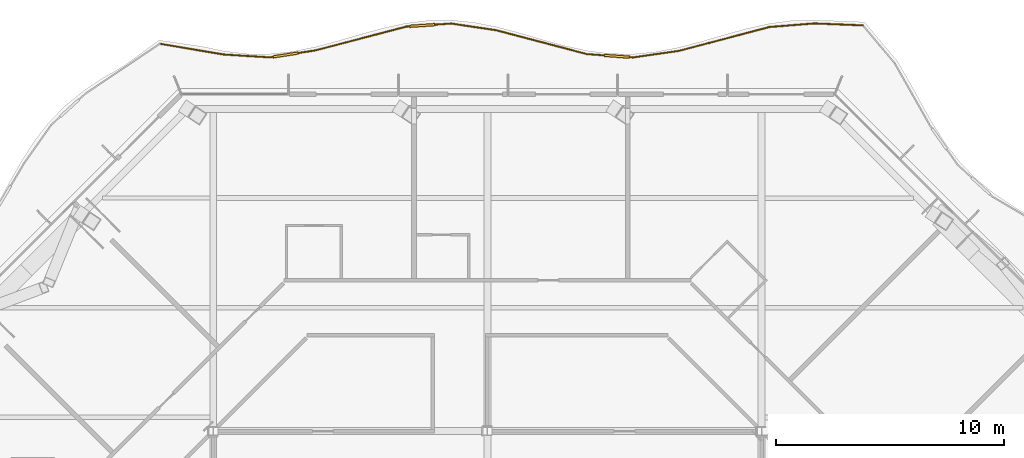
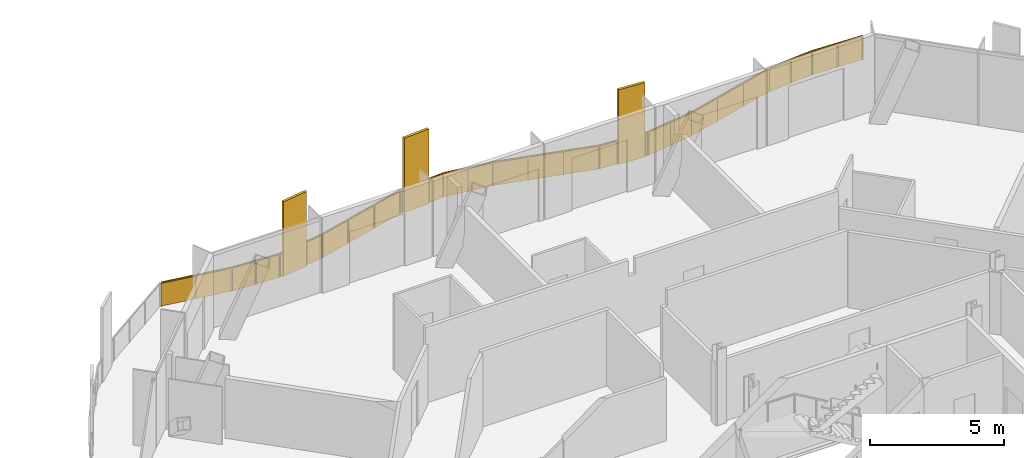
# One storey, part 20 of 21: 1 railing.
"""IFC4 building model written with IfcOpenShell, lengths in metres."""

from ifc_helpers import new_model, si_unit, direction, frame, origin, origin_2d, place, context, subcontext, project, spatial, polyline, rectangle, outline, extrude, material, type_object, element, save


model = new_model("IFC4")

# Units and contexts
model_context = context("Model", 3, precision=1e-05, world=origin(), true_north=direction((0.0, 1.0)))
body_context = subcontext(model_context, "Body", "Model", "MODEL_VIEW")
ifc_project = project(units=[si_unit("LENGTHUNIT", "METRE"), si_unit("AREAUNIT", "SQUARE_METRE"), si_unit("VOLUMEUNIT", "CUBIC_METRE"), si_unit("PLANEANGLEUNIT", "RADIAN"), si_unit("MASSUNIT", "GRAM", prefix="KILO")], contexts=[model_context])

# Site, building, storey
site_placement = place(None, origin())
site = spatial("IfcSite", under=ifc_project, at=site_placement, CompositionType="ELEMENT")
building_placement = place(site_placement, origin())
building = spatial("IfcBuilding", under=site, at=building_placement, Name="Cairn Pilgrim Tower", CompositionType="ELEMENT")
storey_placement = place(building_placement, frame((0.0, 0.0, 179.39990234375)))
storey = spatial("IfcBuildingStorey", under=building, at=storey_placement, Name="L45", CompositionType="ELEMENT", Elevation=179.39990234375)

# Railing
ifc_material = material(Name="Bronze anodised aluminium rail, posts and fin screens with laminated glass infill", Category="aluminium")
railing_type = type_object("IfcRailingType", Name="BALCONY GUARD WITH FIN SCREENS", PredefinedType="GUARDRAIL", material=ifc_material)
railing_placement = place(storey_placement, frame((23.632568359375, 30.961181640625, 0.0)))
element("IfcRailing", 1, at=railing_placement, inside=storey, type_object=railing_type, Name="Balcony guard BGF-5 with fin screens", PredefinedType="GUARDRAIL", context=body_context, shape_type="SweptSolid", body=[
    extrude(rectangle(XDim=0.050048828125, YDim=0.050048828125, at=origin_2d()), frame((0.0, 0.0, 1.0751953125), z_axis=(-0.999213576688, 0.039651332408, 0.0), x_axis=(-0.039651332408, -0.999213576688, 0.0)), (0.0, 0.0, 1.0), 2.124267578125),
    extrude(rectangle(XDim=0.050048828125, YDim=0.050048828125, at=origin_2d()), frame((-2.12255859375, 0.084228515625, 1.0751953125), z_axis=(-0.996840836128, -0.079425105775, 0.0), x_axis=(0.079425105775, -0.996840836128, 0.0)), (0.0, 0.0, 1.0), 1.97021484375),
    extrude(rectangle(XDim=0.050048828125, YDim=0.050048828125, at=origin_2d()), frame((-4.086669921875, -0.072265625, 1.0751953125), z_axis=(-0.966954973111, -0.254947210176, 0.0), x_axis=(0.254947210176, -0.966954973111, 0.0)), (0.0, 0.0, 1.0), 4.103271484375),
    extrude(rectangle(XDim=0.050048828125, YDim=0.050048828125, at=origin_2d()), frame((-8.054443359375, -1.118408203125, 1.0751953125), z_axis=(-0.989961508558, -0.141337226425, 0.0), x_axis=(0.141337226425, -0.989961508558, 0.0)), (0.0, 0.0, 1.0), 2.031494140625),
    extrude(rectangle(XDim=1.10009765625, YDim=0.110107421875, at=origin_2d()), frame((-10.763427734375, -1.35400390625, 0.0), z_axis=(0.0, 0.0, 1.0), x_axis=(-0.997300606896, 0.07342683083, 0.0)), (0.0, 0.0, 1.0), 3.39990234375),
    extrude(rectangle(XDim=0.050048828125, YDim=0.050048828125, at=origin_2d()), frame((-10.0654296875, -1.405517578125, 1.0751953125), z_axis=(-0.997300606896, 0.07342683083, 0.0), x_axis=(-0.07342683083, -0.997300606896, 0.0)), (0.0, 0.0, 1.0), 0.14990234375),
    extrude(rectangle(XDim=0.050048828125, YDim=0.050048828125, at=origin_2d()), frame((-11.31201171875, -1.313720703125, 1.0751953125), z_axis=(-0.997300606896, 0.07342683083, 0.0), x_axis=(-0.07342683083, -0.997300606896, 0.0)), (0.0, 0.0, 1.0), 0.771484375),
    extrude(rectangle(XDim=0.050048828125, YDim=0.050048828125, at=origin_2d()), frame((-12.08154296875, -1.257080078125, 1.0751953125), z_axis=(-0.967142166609, 0.254236168881, 0.0), x_axis=(-0.254236168881, -0.967142166609, 0.0)), (0.0, 0.0, 1.0), 4.113037109375),
    extrude(rectangle(XDim=0.050048828125, YDim=0.050048828125, at=origin_2d()), frame((-16.059326171875, -0.21142578125, 1.0751953125), z_axis=(-0.989194868758, 0.146606656134, 0.0), x_axis=(-0.146606656134, -0.989194868758, 0.0)), (0.0, 0.0, 1.0), 1.9833984375),
    extrude(rectangle(XDim=1.10009765625, YDim=0.110107421875, at=origin_2d()), frame((-19.27880859375, -0.005615234375, 0.0), z_axis=(0.0, 0.0, 1.0), x_axis=(-0.997728040218, -0.067370303265, 0.0)), (0.0, 0.0, 1.0), 3.39990234375),
    extrude(rectangle(XDim=0.050048828125, YDim=0.050048828125, at=origin_2d()), frame((-18.021240234375, 0.079345703125, 1.0751953125), z_axis=(-0.997728040218, -0.067370303265, 0.0), x_axis=(0.067370303265, -0.997728040218, 0.0)), (0.0, 0.0, 1.0), 0.71044921875),
    extrude(rectangle(XDim=0.050048828125, YDim=0.050048828125, at=origin_2d()), frame((-19.82763671875, -0.042724609375, 1.0751953125), z_axis=(-0.997728040218, -0.067370303265, 0.0), x_axis=(0.067370303265, -0.997728040218, 0.0)), (0.0, 0.0, 1.0), 0.14990234375),
    extrude(rectangle(XDim=0.050048828125, YDim=0.050048828125, at=origin_2d()), frame((-19.977294921875, -0.052734375, 1.0751953125), z_axis=(-0.967337813153, -0.253490739957, 0.0), x_axis=(0.253490739957, -0.967337813153, 0.0)), (0.0, 0.0, 1.0), 4.10009765625),
    extrude(rectangle(XDim=1.10009765625, YDim=0.110107421875, at=origin_2d()), frame((-25.261474609375, -1.29443359375, 0.0), z_axis=(0.0, 0.0, 1.0), x_axis=(-0.988418839591, -0.151750444946, 0.0)), (0.0, 0.0, 1.0), 3.39990234375),
    extrude(rectangle(XDim=0.050048828125, YDim=0.050048828125, at=origin_2d()), frame((-23.943359375, -1.092041015625, 1.0751953125), z_axis=(-0.988418839591, -0.151750444946, 0.0), x_axis=(0.151750444946, -0.988418839591, 0.0)), (0.0, 0.0, 1.0), 0.783447265625),
    extrude(rectangle(XDim=0.050048828125, YDim=0.050048828125, at=origin_2d()), frame((-25.80517578125, -1.3779296875, 1.0751953125), z_axis=(-0.988418839591, -0.151750444946, 0.0), x_axis=(0.151750444946, -0.988418839591, 0.0)), (0.0, 0.0, 1.0), 0.14990234375),
    extrude(rectangle(XDim=0.050048828125, YDim=0.050048828125, at=origin_2d()), frame((-25.953369140625, -1.400634765625, 1.0751953125), z_axis=(-0.998109239106, 0.061465004765, 0.0), x_axis=(-0.061465004765, -0.998109239106, 0.0)), (0.0, 0.0, 1.0), 2.013916015625),
    extrude(rectangle(XDim=0.050048828125, YDim=0.050048828125, at=origin_2d()), frame((-27.96337890625, -1.27685546875, 1.0751953125), z_axis=(-0.986294384664, 0.164995111385, 0.0), x_axis=(-0.164995111385, -0.986294384664, 0.0)), (0.0, 0.0, 1.0), 2.789306640625),
    extrude(rectangle(XDim=0.050048828125, YDim=0.050048828125, at=origin_2d()), origin(), (0.0, 0.0, 1.0), 1.050048828125),
    extrude(rectangle(XDim=0.050048828125, YDim=0.050048828125, at=origin_2d()), frame((-1.061279296875, 0.0419921875, 0.0)), (0.0, 0.0, 1.0), 1.050048828125),
    extrude(rectangle(XDim=0.050048828125, YDim=0.050048828125, at=origin_2d()), frame((-2.12255859375, 0.084228515625, 0.0)), (0.0, 0.0, 1.0), 1.050048828125),
    extrude(rectangle(XDim=0.050048828125, YDim=0.050048828125, at=origin_2d()), frame((-3.1044921875, 0.005859375, 0.0)), (0.0, 0.0, 1.0), 1.050048828125),
    extrude(rectangle(XDim=0.050048828125, YDim=0.050048828125, at=origin_2d()), frame((-4.086669921875, -0.072265625, 0.0)), (0.0, 0.0, 1.0), 1.050048828125),
    extrude(rectangle(XDim=0.050048828125, YDim=0.050048828125, at=origin_2d()), frame((-5.4091796875, -0.4208984375, 0.0)), (0.0, 0.0, 1.0), 1.050048828125),
    extrude(rectangle(XDim=0.050048828125, YDim=0.050048828125, at=origin_2d()), frame((-6.73193359375, -0.769775390625, 0.0)), (0.0, 0.0, 1.0), 1.050048828125),
    extrude(rectangle(XDim=0.050048828125, YDim=0.050048828125, at=origin_2d()), frame((-8.054443359375, -1.118408203125, 0.0)), (0.0, 0.0, 1.0), 1.050048828125),
    extrude(rectangle(XDim=0.050048828125, YDim=0.050048828125, at=origin_2d()), frame((-9.06005859375, -1.261962890625, 0.0)), (0.0, 0.0, 1.0), 1.050048828125),
    extrude(rectangle(XDim=0.050048828125, YDim=0.050048828125, at=origin_2d()), frame((-10.0654296875, -1.405517578125, 0.0)), (0.0, 0.0, 1.0), 1.050048828125),
    extrude(rectangle(XDim=0.050048828125, YDim=0.050048828125, at=origin_2d()), frame((-10.18994140625, -1.396240234375, 0.0)), (0.0, 0.0, 1.0), 1.050048828125),
    extrude(rectangle(XDim=0.050048828125, YDim=0.050048828125, at=origin_2d()), frame((-11.3369140625, -1.31201171875, 0.0)), (0.0, 0.0, 1.0), 1.050048828125),
    extrude(rectangle(XDim=0.050048828125, YDim=0.050048828125, at=origin_2d()), frame((-12.08154296875, -1.257080078125, 0.0)), (0.0, 0.0, 1.0), 1.050048828125),
    extrude(rectangle(XDim=0.050048828125, YDim=0.050048828125, at=origin_2d()), frame((-13.407470703125, -0.908447265625, 0.0)), (0.0, 0.0, 1.0), 1.050048828125),
    extrude(rectangle(XDim=0.050048828125, YDim=0.050048828125, at=origin_2d()), frame((-14.7333984375, -0.56005859375, 0.0)), (0.0, 0.0, 1.0), 1.050048828125),
    extrude(rectangle(XDim=0.050048828125, YDim=0.050048828125, at=origin_2d()), frame((-16.059326171875, -0.21142578125, 0.0)), (0.0, 0.0, 1.0), 1.050048828125),
    extrude(rectangle(XDim=0.050048828125, YDim=0.050048828125, at=origin_2d()), frame((-17.040283203125, -0.06591796875, 0.0)), (0.0, 0.0, 1.0), 1.050048828125),
    extrude(rectangle(XDim=0.050048828125, YDim=0.050048828125, at=origin_2d()), frame((-18.021240234375, 0.079345703125, 0.0)), (0.0, 0.0, 1.0), 1.050048828125),
    extrude(rectangle(XDim=0.050048828125, YDim=0.050048828125, at=origin_2d()), frame((-18.705322265625, 0.033203125, 0.0)), (0.0, 0.0, 1.0), 1.050048828125),
    extrude(rectangle(XDim=0.050048828125, YDim=0.050048828125, at=origin_2d()), frame((-19.8525390625, -0.04443359375, 0.0)), (0.0, 0.0, 1.0), 1.050048828125),
    extrude(rectangle(XDim=0.050048828125, YDim=0.050048828125, at=origin_2d()), frame((-19.977294921875, -0.052734375, 0.0)), (0.0, 0.0, 1.0), 1.050048828125),
    extrude(rectangle(XDim=0.050048828125, YDim=0.050048828125, at=origin_2d()), frame((-21.29931640625, -0.399169921875, 0.0)), (0.0, 0.0, 1.0), 1.050048828125),
    extrude(rectangle(XDim=0.050048828125, YDim=0.050048828125, at=origin_2d()), frame((-22.621337890625, -0.74560546875, 0.0)), (0.0, 0.0, 1.0), 1.050048828125),
    extrude(rectangle(XDim=0.050048828125, YDim=0.050048828125, at=origin_2d()), frame((-23.943359375, -1.092041015625, 0.0)), (0.0, 0.0, 1.0), 1.050048828125),
    extrude(rectangle(XDim=0.050048828125, YDim=0.050048828125, at=origin_2d()), frame((-24.693115234375, -1.20703125, 0.0)), (0.0, 0.0, 1.0), 1.050048828125),
    extrude(rectangle(XDim=0.050048828125, YDim=0.050048828125, at=origin_2d()), frame((-25.829833984375, -1.381591796875, 0.0)), (0.0, 0.0, 1.0), 1.050048828125),
    extrude(rectangle(XDim=0.050048828125, YDim=0.050048828125, at=origin_2d()), frame((-25.953369140625, -1.400634765625, 0.0)), (0.0, 0.0, 1.0), 1.050048828125),
    extrude(rectangle(XDim=0.050048828125, YDim=0.050048828125, at=origin_2d()), frame((-26.95849609375, -1.3388671875, 0.0)), (0.0, 0.0, 1.0), 1.050048828125),
    extrude(rectangle(XDim=0.050048828125, YDim=0.050048828125, at=origin_2d()), frame((-27.96337890625, -1.27685546875, 0.0)), (0.0, 0.0, 1.0), 1.050048828125),
    extrude(rectangle(XDim=0.050048828125, YDim=0.050048828125, at=origin_2d()), frame((-29.3388671875, -1.046875, 0.0)), (0.0, 0.0, 1.0), 1.050048828125),
    extrude(rectangle(XDim=0.050048828125, YDim=0.050048828125, at=origin_2d()), frame((-30.71435546875, -0.816650390625, 0.0)), (0.0, 0.0, 1.0), 1.050048828125),
    extrude(outline(polyline([(0.02490234375, 0.0), (1.037109375, 0.0), (1.037109375, 1.050048828125), (0.02490234375, 1.050048828125), (0.02490234375, 0.0)])), frame((-0.000244140625, -0.005859375, 0.0), z_axis=(0.039651332408, 0.999213576688, 0.0), x_axis=(-0.999213576688, 0.039651332408, 0.0)), (0.0, 0.0, 1.0), 0.011962890625),
    extrude(outline(polyline([(0.02490234375, 0.0), (1.037109375, 0.0), (1.037109375, 1.050048828125), (0.02490234375, 1.050048828125), (0.02490234375, 0.0)])), frame((-1.0615234375, 0.0361328125, 0.0), z_axis=(0.039651332408, 0.999213576688, 0.0), x_axis=(-0.999213576688, 0.039651332408, 0.0)), (0.0, 0.0, 1.0), 0.011962890625),
    extrude(outline(polyline([(0.02490234375, 0.0), (0.960205078125, 0.0), (0.960205078125, 1.050048828125), (0.02490234375, 1.050048828125), (0.02490234375, 0.0)])), frame((-2.1220703125, 0.078369140625, 0.0), z_axis=(-0.079425105775, 0.996840836128, 0.0), x_axis=(-0.996840836128, -0.079425105775, 0.0)), (0.0, 0.0, 1.0), 0.011962890625),
    extrude(outline(polyline([(0.02490234375, 0.0), (0.960205078125, 0.0), (0.960205078125, 1.050048828125), (0.02490234375, 1.050048828125), (0.02490234375, 0.0)])), frame((-3.104248046875, 0.0, 0.0), z_axis=(-0.079425105775, 0.996840836128, 0.0), x_axis=(-0.996840836128, -0.079425105775, 0.0)), (0.0, 0.0, 1.0), 0.011962890625),
    extrude(outline(polyline([(0.02490234375, 0.0), (1.3427734375, 0.0), (1.3427734375, 1.050048828125), (0.02490234375, 1.050048828125), (0.02490234375, 0.0)])), frame((-4.085205078125, -0.078125, 0.0), z_axis=(-0.254947210176, 0.966954973111, 0.0), x_axis=(-0.966954973111, -0.254947210176, 0.0)), (0.0, 0.0, 1.0), 0.011962890625),
    extrude(outline(polyline([(0.02490234375, 0.0), (1.3427734375, 0.0), (1.3427734375, 1.050048828125), (0.02490234375, 1.050048828125), (0.02490234375, 0.0)])), frame((-5.40771484375, -0.4267578125, 0.0), z_axis=(-0.254947210176, 0.966954973111, 0.0), x_axis=(-0.966954973111, -0.254947210176, 0.0)), (0.0, 0.0, 1.0), 0.011962890625),
    extrude(outline(polyline([(0.02490234375, 0.0), (1.3427734375, 0.0), (1.3427734375, 1.050048828125), (0.02490234375, 1.050048828125), (0.02490234375, 0.0)])), frame((-6.730224609375, -0.775390625, 0.0), z_axis=(-0.254947210176, 0.966954973111, 0.0), x_axis=(-0.966954973111, -0.254947210176, 0.0)), (0.0, 0.0, 1.0), 0.011962890625),
    extrude(outline(polyline([(0.02490234375, 0.0), (0.99072265625, 0.0), (0.99072265625, 1.050048828125), (0.02490234375, 1.050048828125), (0.02490234375, 0.0)])), frame((-8.0537109375, -1.124267578125, 0.0), z_axis=(-0.141337226425, 0.989961508558, 0.0), x_axis=(-0.989961508558, -0.141337226425, 0.0)), (0.0, 0.0, 1.0), 0.011962890625),
    extrude(outline(polyline([(0.02490234375, 0.0), (0.99072265625, 0.0), (0.99072265625, 1.050048828125), (0.02490234375, 1.050048828125), (0.02490234375, 0.0)])), frame((-9.05908203125, -1.267822265625, 0.0), z_axis=(-0.141337226425, 0.989961508558, 0.0), x_axis=(-0.989961508558, -0.141337226425, 0.0)), (0.0, 0.0, 1.0), 0.011962890625),
    extrude(outline(polyline([(0.02490234375, 0.0), (0.099853515625, 0.0), (0.099853515625, 1.050048828125), (0.02490234375, 1.050048828125), (0.02490234375, 0.0)])), frame((-10.06591796875, -1.411376953125, 0.0), z_axis=(0.07342683083, 0.997300606896, 0.0), x_axis=(-0.997300606896, 0.07342683083, 0.0)), (0.0, 0.0, 1.0), 0.011962890625),
    extrude(outline(polyline([(0.02490234375, 0.0), (0.721435546875, 0.0), (0.721435546875, 1.050048828125), (0.02490234375, 1.050048828125), (0.02490234375, 0.0)])), frame((-11.33740234375, -1.31787109375, 0.0), z_axis=(0.07342683083, 0.997300606896, 0.0), x_axis=(-0.997300606896, 0.07342683083, 0.0)), (0.0, 0.0, 1.0), 0.011962890625),
    extrude(outline(polyline([(0.02490234375, 0.0), (1.345947265625, 0.0), (1.345947265625, 1.050048828125), (0.02490234375, 1.050048828125), (0.02490234375, 0.0)])), frame((-12.0830078125, -1.262939453125, 0.0), z_axis=(0.254236168881, 0.967142166609, 0.0), x_axis=(-0.967142166609, 0.254236168881, 0.0)), (0.0, 0.0, 1.0), 0.011962890625),
    extrude(outline(polyline([(0.02490234375, 0.0), (1.345947265625, 0.0), (1.345947265625, 1.050048828125), (0.02490234375, 1.050048828125), (0.02490234375, 0.0)])), frame((-13.408935546875, -0.914306640625, 0.0), z_axis=(0.254236168881, 0.967142166609, 0.0), x_axis=(-0.967142166609, 0.254236168881, 0.0)), (0.0, 0.0, 1.0), 0.011962890625),
    extrude(outline(polyline([(0.02490234375, 0.0), (1.345947265625, 0.0), (1.345947265625, 1.050048828125), (0.02490234375, 1.050048828125), (0.02490234375, 0.0)])), frame((-14.73486328125, -0.565673828125, 0.0), z_axis=(0.254236168881, 0.967142166609, 0.0), x_axis=(-0.967142166609, 0.254236168881, 0.0)), (0.0, 0.0, 1.0), 0.011962890625),
    extrude(outline(polyline([(0.02490234375, 0.0), (0.966552734375, 0.0), (0.966552734375, 1.050048828125), (0.02490234375, 1.050048828125), (0.02490234375, 0.0)])), frame((-16.060302734375, -0.21728515625, 0.0), z_axis=(0.146606656134, 0.989194868758, 0.0), x_axis=(-0.989194868758, 0.146606656134, 0.0)), (0.0, 0.0, 1.0), 0.011962890625),
    extrude(outline(polyline([(0.02490234375, 0.0), (0.966552734375, 0.0), (0.966552734375, 1.050048828125), (0.02490234375, 1.050048828125), (0.02490234375, 0.0)])), frame((-17.041259765625, -0.072021484375, 0.0), z_axis=(0.146606656134, 0.989194868758, 0.0), x_axis=(-0.989194868758, 0.146606656134, 0.0)), (0.0, 0.0, 1.0), 0.011962890625),
    extrude(outline(polyline([(0.02490234375, 0.0), (0.660400390625, 0.0), (0.660400390625, 1.050048828125), (0.02490234375, 1.050048828125), (0.02490234375, 0.0)])), frame((-18.020751953125, 0.073486328125, 0.0), z_axis=(-0.067370303265, 0.997728040218, 0.0), x_axis=(-0.997728040218, -0.067370303265, 0.0)), (0.0, 0.0, 1.0), 0.011962890625),
    extrude(outline(polyline([(0.02490234375, 0.0), (0.099853515625, 0.0), (0.099853515625, 1.050048828125), (0.02490234375, 1.050048828125), (0.02490234375, 0.0)])), frame((-19.852294921875, -0.05029296875, 0.0), z_axis=(-0.067370303265, 0.997728040218, 0.0), x_axis=(-0.997728040218, -0.067370303265, 0.0)), (0.0, 0.0, 1.0), 0.011962890625),
    extrude(outline(polyline([(0.02490234375, 0.0), (1.341552734375, 0.0), (1.341552734375, 1.050048828125), (0.02490234375, 1.050048828125), (0.02490234375, 0.0)])), frame((-19.975830078125, -0.05859375, 0.0), z_axis=(-0.253490739957, 0.967337813153, 0.0), x_axis=(-0.967337813153, -0.253490739957, 0.0)), (0.0, 0.0, 1.0), 0.011962890625),
    extrude(outline(polyline([(0.02490234375, 0.0), (1.341552734375, 0.0), (1.341552734375, 1.050048828125), (0.02490234375, 1.050048828125), (0.02490234375, 0.0)])), frame((-21.2978515625, -0.405029296875, 0.0), z_axis=(-0.253490739957, 0.967337813153, 0.0), x_axis=(-0.967337813153, -0.253490739957, 0.0)), (0.0, 0.0, 1.0), 0.011962890625),
    extrude(outline(polyline([(0.02490234375, 0.0), (1.341552734375, 0.0), (1.341552734375, 1.050048828125), (0.02490234375, 1.050048828125), (0.02490234375, 0.0)])), frame((-22.619873046875, -0.75146484375, 0.0), z_axis=(-0.253490739957, 0.967337813153, 0.0), x_axis=(-0.967337813153, -0.253490739957, 0.0)), (0.0, 0.0, 1.0), 0.011962890625),
    extrude(outline(polyline([(0.02490234375, 0.0), (0.7333984375, 0.0), (0.7333984375, 1.050048828125), (0.02490234375, 1.050048828125), (0.02490234375, 0.0)])), frame((-23.9423828125, -1.097900390625, 0.0), z_axis=(-0.151750444946, 0.988418839591, 0.0), x_axis=(-0.988418839591, -0.151750444946, 0.0)), (0.0, 0.0, 1.0), 0.011962890625),
    extrude(outline(polyline([(0.02490234375, 0.0), (0.099853515625, 0.0), (0.099853515625, 1.050048828125), (0.02490234375, 1.050048828125), (0.02490234375, 0.0)])), frame((-25.828857421875, -1.3876953125, 0.0), z_axis=(-0.151750444946, 0.988418839591, 0.0), x_axis=(-0.988418839591, -0.151750444946, 0.0)), (0.0, 0.0, 1.0), 0.011962890625),
    extrude(outline(polyline([(0.02490234375, 0.0), (0.98193359375, 0.0), (0.98193359375, 1.050048828125), (0.02490234375, 1.050048828125), (0.02490234375, 0.0)])), frame((-25.953857421875, -1.406494140625, 0.0), z_axis=(0.061465004765, 0.998109239106, 0.0), x_axis=(-0.998109239106, 0.061465004765, 0.0)), (0.0, 0.0, 1.0), 0.011962890625),
    extrude(outline(polyline([(0.02490234375, 0.0), (0.98193359375, 0.0), (0.98193359375, 1.050048828125), (0.02490234375, 1.050048828125), (0.02490234375, 0.0)])), frame((-26.958740234375, -1.3447265625, 0.0), z_axis=(0.061465004765, 0.998109239106, 0.0), x_axis=(-0.998109239106, 0.061465004765, 0.0)), (0.0, 0.0, 1.0), 0.011962890625),
    extrude(outline(polyline([(0.02490234375, 0.0), (1.36962890625, 0.0), (1.36962890625, 1.050048828125), (0.02490234375, 1.050048828125), (0.02490234375, 0.0)])), frame((-27.96435546875, -1.28271484375, 0.0), z_axis=(0.164995111385, 0.986294384664, 0.0), x_axis=(-0.986294384664, 0.164995111385, 0.0)), (0.0, 0.0, 1.0), 0.011962890625),
    extrude(outline(polyline([(0.02490234375, 0.0), (1.36962890625, 0.0), (1.36962890625, 1.050048828125), (0.02490234375, 1.050048828125), (0.02490234375, 0.0)])), frame((-29.33984375, -1.052734375, 0.0), z_axis=(0.164995111385, 0.986294384664, 0.0), x_axis=(-0.986294384664, 0.164995111385, 0.0)), (0.0, 0.0, 1.0), 0.011962890625),
])

save(model, "model.ifc")
